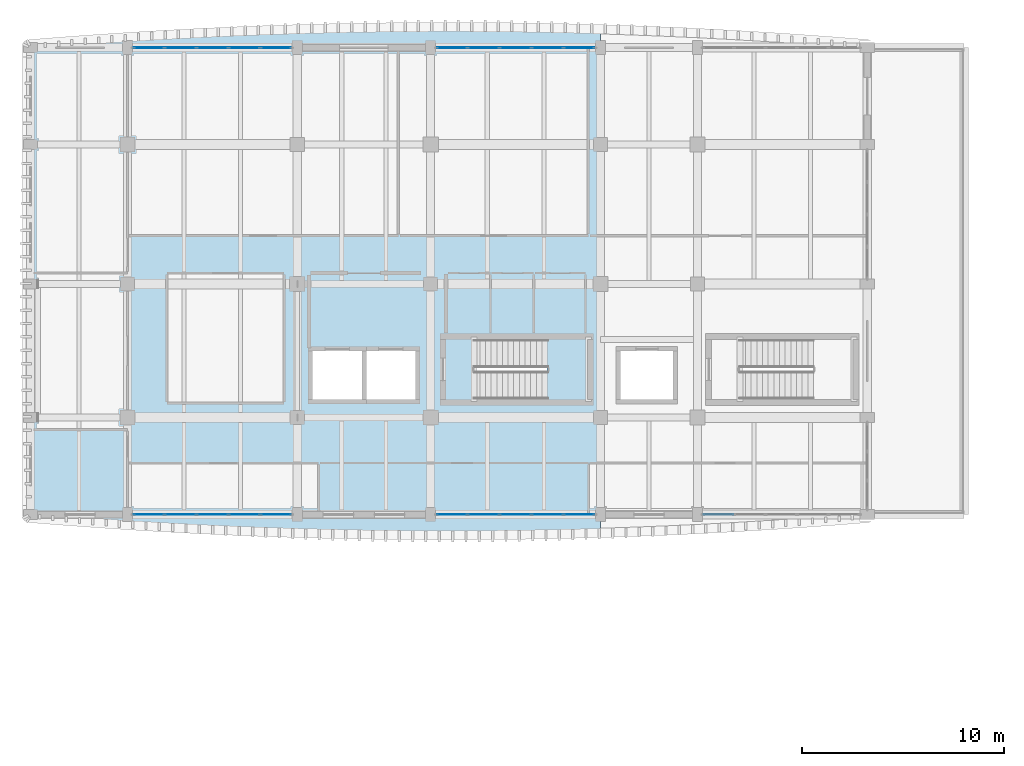
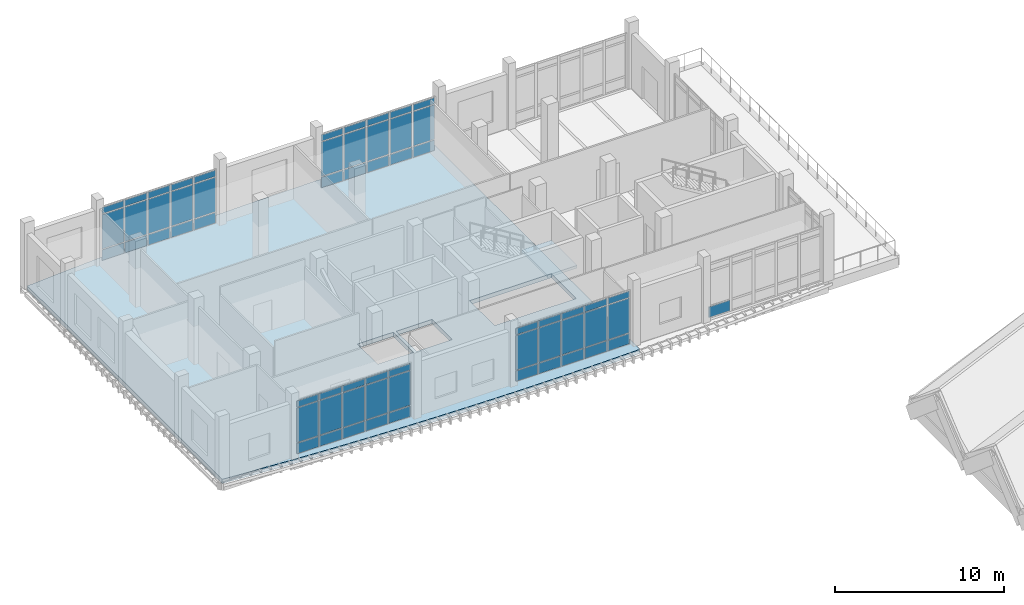
# One storey, part 19 of 50: 61 plates, 2 slabs, 6 elements without a shape of their own.
"""IFC4 building model written with IfcOpenShell, lengths in metres."""

from ifc_helpers import new_model, si_unit, direction, frame, origin, origin_2d, place, context, subcontext, project, spatial, polyline, rectangle, outline, extrude, material, layer, layer_set, type_object, element, aggregate, save


model = new_model("IFC4")

# Units and contexts
model_context = context("Model", 3, precision=1e-05, world=origin(), true_north=direction((0.0, 1.0)))
body_context = subcontext(model_context, "Body", "Model", "MODEL_VIEW")
ifc_project = project(units=[si_unit("LENGTHUNIT", "METRE"), si_unit("AREAUNIT", "SQUARE_METRE"), si_unit("VOLUMEUNIT", "CUBIC_METRE"), si_unit("PLANEANGLEUNIT", "RADIAN"), si_unit("MASSUNIT", "GRAM", prefix="KILO")], contexts=[model_context])

# Site, building, storey
site_placement = place(None, origin())
site = spatial("IfcSite", under=ifc_project, at=site_placement, CompositionType="ELEMENT")
building_placement = place(site_placement, origin())
building = spatial("IfcBuilding", under=site, at=building_placement, Name="Dornvale Research Institute", CompositionType="ELEMENT")
storey_placement = place(building_placement, frame((0.0, 0.0, 19.800048828125)))
storey = spatial("IfcBuildingStorey", under=building, at=storey_placement, Name="L04", CompositionType="ELEMENT", Elevation=19.800048828125)

# Curtain wall, plates
ifc_material_1 = material(Name="Low-E Argon Double Insulating Glazing Unit", Category="glass")
curtain_wall_type_1 = type_object("IfcCurtainWallType", Name="UnitisedCurtainWall_V5_7900x3950", PredefinedType="USERDEFINED", material=ifc_material_1)
curtain_wall_1_placement = place(storey_placement, origin())
curtain_wall_1 = element("IfcCurtainWall", 1, at=curtain_wall_1_placement, inside=storey, type_object=curtain_wall_type_1, Name="L04 V5 unitised curtain wall CW-24 #157", ObjectType="UNITISED CURTAIN WALL", PredefinedType="USERDEFINED")
ifc_material_2 = material(Name="Insulated Ceramic-Frit Spandrel Glass Panel", Category="glass")
ifc_layer_1 = layer(ifc_material_2, 0.0419921875)
ifc_layer_set_1 = layer_set([ifc_layer_1], Name="Insulated Ceramic-Frit Spandrel Glass Panel")
plate_type_1 = type_object("IfcPlateType", Name="CurtainPanel_Spandrel_42", PredefinedType="CURTAIN_PANEL", material=ifc_layer_set_1)
plate_1_placement = place(storey_placement, frame((5.856201171875, 122.10009765625, 0.06494140625), z_axis=(0.0, 0.0, 1.0), x_axis=(1.0, 0.0, 0.0)))
plate_1 = element("IfcPlate", 2, at=plate_1_placement, type_object=plate_type_1, Name="CW-24 panel 1.1", PredefinedType="CURTAIN_PANEL", context=body_context, shape_type="SweptSolid", body=[
    extrude(rectangle(XDim=1.482421875, YDim=0.0419921875, at=origin_2d()), origin(), (0.0, 0.0, 1.0), 0.75244140625),
])
plate_2_placement = place(storey_placement, frame((7.419921875, 122.10009765625, 0.06494140625), z_axis=(0.0, 0.0, 1.0), x_axis=(1.0, 0.0, 0.0)))
plate_2 = element("IfcPlate", 3, at=plate_2_placement, type_object=plate_type_1, Name="CW-24 panel 2.1", PredefinedType="CURTAIN_PANEL", context=body_context, shape_type="SweptSolid", body=[
    extrude(rectangle(XDim=1.514892578125, YDim=0.0419921875, at=origin_2d()), origin(), (0.0, 0.0, 1.0), 0.75244140625),
])
plate_3_placement = place(storey_placement, frame((9.0, 122.10009765625, 0.06494140625), z_axis=(0.0, 0.0, 1.0), x_axis=(1.0, 0.0, 0.0)))
plate_3 = element("IfcPlate", 4, at=plate_3_placement, type_object=plate_type_1, Name="CW-24 panel 3.1", PredefinedType="CURTAIN_PANEL", context=body_context, shape_type="SweptSolid", body=[
    extrude(rectangle(XDim=1.514892578125, YDim=0.0419921875, at=origin_2d()), origin(), (0.0, 0.0, 1.0), 0.75244140625),
])
plate_4_placement = place(storey_placement, frame((10.580078125, 122.10009765625, 0.06494140625), z_axis=(0.0, 0.0, 1.0), x_axis=(1.0, 0.0, 0.0)))
plate_4 = element("IfcPlate", 5, at=plate_4_placement, type_object=plate_type_1, Name="CW-24 panel 4.1", PredefinedType="CURTAIN_PANEL", context=body_context, shape_type="SweptSolid", body=[
    extrude(rectangle(XDim=1.514892578125, YDim=0.0419921875, at=origin_2d()), origin(), (0.0, 0.0, 1.0), 0.75244140625),
])
plate_5_placement = place(storey_placement, frame((12.143798828125, 122.10009765625, 0.06494140625), z_axis=(0.0, 0.0, 1.0), x_axis=(1.0, 0.0, 0.0)))
plate_5 = element("IfcPlate", 6, at=plate_5_placement, type_object=plate_type_1, Name="CW-24 panel 5.1", PredefinedType="CURTAIN_PANEL", context=body_context, shape_type="SweptSolid", body=[
    extrude(rectangle(XDim=1.482421875, YDim=0.0419921875, at=origin_2d()), origin(), (0.0, 0.0, 1.0), 0.75244140625),
])

curtain_wall_2_placement = place(storey_placement, origin())
curtain_wall_2 = element("IfcCurtainWall", 7, at=curtain_wall_2_placement, inside=storey, type_object=curtain_wall_type_1, Name="L04 V5 unitised curtain wall CW-24 #158", ObjectType="UNITISED CURTAIN WALL", PredefinedType="USERDEFINED")
plate_6_placement = place(storey_placement, frame((20.856201171875, 122.10009765625, 0.06494140625), z_axis=(0.0, 0.0, 1.0), x_axis=(1.0, 0.0, 0.0)))
plate_6 = element("IfcPlate", 8, at=plate_6_placement, type_object=plate_type_1, Name="CW-24 panel 1.1", PredefinedType="CURTAIN_PANEL", context=body_context, shape_type="SweptSolid", body=[
    extrude(rectangle(XDim=1.482421875, YDim=0.0419921875, at=origin_2d()), origin(), (0.0, 0.0, 1.0), 0.75244140625),
])
plate_7_placement = place(storey_placement, frame((22.419921875, 122.10009765625, 0.06494140625), z_axis=(0.0, 0.0, 1.0), x_axis=(1.0, 0.0, 0.0)))
plate_7 = element("IfcPlate", 9, at=plate_7_placement, type_object=plate_type_1, Name="CW-24 panel 2.1", PredefinedType="CURTAIN_PANEL", context=body_context, shape_type="SweptSolid", body=[
    extrude(rectangle(XDim=1.514892578125, YDim=0.0419921875, at=origin_2d()), origin(), (0.0, 0.0, 1.0), 0.75244140625),
])
plate_8_placement = place(storey_placement, frame((24.0, 122.10009765625, 0.06494140625), z_axis=(0.0, 0.0, 1.0), x_axis=(1.0, 0.0, 0.0)))
plate_8 = element("IfcPlate", 10, at=plate_8_placement, type_object=plate_type_1, Name="CW-24 panel 3.1", PredefinedType="CURTAIN_PANEL", context=body_context, shape_type="SweptSolid", body=[
    extrude(rectangle(XDim=1.514892578125, YDim=0.0419921875, at=origin_2d()), origin(), (0.0, 0.0, 1.0), 0.75244140625),
])
plate_9_placement = place(storey_placement, frame((25.580078125, 122.10009765625, 0.06494140625), z_axis=(0.0, 0.0, 1.0), x_axis=(1.0, 0.0, 0.0)))
plate_9 = element("IfcPlate", 11, at=plate_9_placement, type_object=plate_type_1, Name="CW-24 panel 4.1", PredefinedType="CURTAIN_PANEL", context=body_context, shape_type="SweptSolid", body=[
    extrude(rectangle(XDim=1.514892578125, YDim=0.0419921875, at=origin_2d()), origin(), (0.0, 0.0, 1.0), 0.75244140625),
])
plate_10_placement = place(storey_placement, frame((27.143798828125, 122.10009765625, 0.06494140625), z_axis=(0.0, 0.0, 1.0), x_axis=(1.0, 0.0, 0.0)))
plate_10 = element("IfcPlate", 12, at=plate_10_placement, type_object=plate_type_1, Name="CW-24 panel 5.1", PredefinedType="CURTAIN_PANEL", context=body_context, shape_type="SweptSolid", body=[
    extrude(rectangle(XDim=1.482421875, YDim=0.0419921875, at=origin_2d()), origin(), (0.0, 0.0, 1.0), 0.75244140625),
])

# Curtain wall, plate
ifc_material_3 = material(Name="Low-E Argon Double Insulating Glazing Unit", Category="glass")
curtain_wall_type_2 = type_object("IfcCurtainWallType", Name="UnitisedCurtainWall_V5_7800x3950", PredefinedType="USERDEFINED", material=ifc_material_3)
curtain_wall_3_placement = place(storey_placement, origin())
curtain_wall_3 = element("IfcCurtainWall", 13, at=curtain_wall_3_placement, inside=storey, type_object=curtain_wall_type_2, Name="L04 V5 unitised curtain wall CW-29 #162", ObjectType="UNITISED CURTAIN WALL", PredefinedType="USERDEFINED")
plate_11_placement = place(storey_placement, frame((34.046142578125, 99.0, 0.06494140625), z_axis=(0.0, 0.0, 1.0), x_axis=(-1.0, 0.0, 0.0)))
plate_11 = element("IfcPlate", 14, at=plate_11_placement, type_object=plate_type_1, Name="CW-29 panel 5.1", PredefinedType="CURTAIN_PANEL", context=body_context, shape_type="SweptSolid", body=[
    extrude(rectangle(XDim=1.46240234375, YDim=0.0419921875, at=origin_2d()), origin(), (0.0, 0.0, 1.0), 0.75244140625),
])
aggregate(curtain_wall_3, [plate_11])

# Curtain wall, plates
curtain_wall_4_placement = place(storey_placement, origin())
curtain_wall_4 = element("IfcCurtainWall", 15, at=curtain_wall_4_placement, inside=storey, type_object=curtain_wall_type_1, Name="L04 V5 unitised curtain wall CW-24 #163", ObjectType="UNITISED CURTAIN WALL", PredefinedType="USERDEFINED")
plate_12_placement = place(storey_placement, frame((27.143798828125, 99.0, 0.06494140625), z_axis=(0.0, 0.0, 1.0), x_axis=(-1.0, 0.0, 0.0)))
plate_12 = element("IfcPlate", 16, at=plate_12_placement, type_object=plate_type_1, Name="CW-24 panel 1.1", PredefinedType="CURTAIN_PANEL", context=body_context, shape_type="SweptSolid", body=[
    extrude(rectangle(XDim=1.482421875, YDim=0.0419921875, at=origin_2d()), origin(), (0.0, 0.0, 1.0), 0.75244140625),
])
plate_13_placement = place(storey_placement, frame((25.580078125, 99.0, 0.06494140625), z_axis=(0.0, 0.0, 1.0), x_axis=(-1.0, 0.0, 0.0)))
plate_13 = element("IfcPlate", 17, at=plate_13_placement, type_object=plate_type_1, Name="CW-24 panel 2.1", PredefinedType="CURTAIN_PANEL", context=body_context, shape_type="SweptSolid", body=[
    extrude(rectangle(XDim=1.514892578125, YDim=0.0419921875, at=origin_2d()), origin(), (0.0, 0.0, 1.0), 0.75244140625),
])
plate_14_placement = place(storey_placement, frame((24.0, 99.0, 0.06494140625), z_axis=(0.0, 0.0, 1.0), x_axis=(-1.0, 0.0, 0.0)))
plate_14 = element("IfcPlate", 18, at=plate_14_placement, type_object=plate_type_1, Name="CW-24 panel 3.1", PredefinedType="CURTAIN_PANEL", context=body_context, shape_type="SweptSolid", body=[
    extrude(rectangle(XDim=1.514892578125, YDim=0.0419921875, at=origin_2d()), origin(), (0.0, 0.0, 1.0), 0.75244140625),
])
plate_15_placement = place(storey_placement, frame((22.419921875, 99.0, 0.06494140625), z_axis=(0.0, 0.0, 1.0), x_axis=(-1.0, 0.0, 0.0)))
plate_15 = element("IfcPlate", 19, at=plate_15_placement, type_object=plate_type_1, Name="CW-24 panel 4.1", PredefinedType="CURTAIN_PANEL", context=body_context, shape_type="SweptSolid", body=[
    extrude(rectangle(XDim=1.514892578125, YDim=0.0419921875, at=origin_2d()), origin(), (0.0, 0.0, 1.0), 0.75244140625),
])
plate_16_placement = place(storey_placement, frame((20.856201171875, 99.0, 0.06494140625), z_axis=(0.0, 0.0, 1.0), x_axis=(-1.0, 0.0, 0.0)))
plate_16 = element("IfcPlate", 20, at=plate_16_placement, type_object=plate_type_1, Name="CW-24 panel 5.1", PredefinedType="CURTAIN_PANEL", context=body_context, shape_type="SweptSolid", body=[
    extrude(rectangle(XDim=1.482421875, YDim=0.0419921875, at=origin_2d()), origin(), (0.0, 0.0, 1.0), 0.75244140625),
])

curtain_wall_5_placement = place(storey_placement, origin())
curtain_wall_5 = element("IfcCurtainWall", 21, at=curtain_wall_5_placement, inside=storey, type_object=curtain_wall_type_1, Name="L04 V5 unitised curtain wall CW-24 #164", ObjectType="UNITISED CURTAIN WALL", PredefinedType="USERDEFINED")
plate_17_placement = place(storey_placement, frame((12.143798828125, 99.0, 0.06494140625), z_axis=(0.0, 0.0, 1.0), x_axis=(-1.0, 0.0, 0.0)))
plate_17 = element("IfcPlate", 22, at=plate_17_placement, type_object=plate_type_1, Name="CW-24 panel 1.1", PredefinedType="CURTAIN_PANEL", context=body_context, shape_type="SweptSolid", body=[
    extrude(rectangle(XDim=1.482421875, YDim=0.0419921875, at=origin_2d()), origin(), (0.0, 0.0, 1.0), 0.75244140625),
])
plate_18_placement = place(storey_placement, frame((10.580078125, 99.0, 0.06494140625), z_axis=(0.0, 0.0, 1.0), x_axis=(-1.0, 0.0, 0.0)))
plate_18 = element("IfcPlate", 23, at=plate_18_placement, type_object=plate_type_1, Name="CW-24 panel 2.1", PredefinedType="CURTAIN_PANEL", context=body_context, shape_type="SweptSolid", body=[
    extrude(rectangle(XDim=1.514892578125, YDim=0.0419921875, at=origin_2d()), origin(), (0.0, 0.0, 1.0), 0.75244140625),
])
plate_19_placement = place(storey_placement, frame((9.0, 99.0, 0.06494140625), z_axis=(0.0, 0.0, 1.0), x_axis=(-1.0, 0.0, 0.0)))
plate_19 = element("IfcPlate", 24, at=plate_19_placement, type_object=plate_type_1, Name="CW-24 panel 3.1", PredefinedType="CURTAIN_PANEL", context=body_context, shape_type="SweptSolid", body=[
    extrude(rectangle(XDim=1.514892578125, YDim=0.0419921875, at=origin_2d()), origin(), (0.0, 0.0, 1.0), 0.75244140625),
])
plate_20_placement = place(storey_placement, frame((7.419921875, 99.0, 0.06494140625), z_axis=(0.0, 0.0, 1.0), x_axis=(-1.0, 0.0, 0.0)))
plate_20 = element("IfcPlate", 25, at=plate_20_placement, type_object=plate_type_1, Name="CW-24 panel 4.1", PredefinedType="CURTAIN_PANEL", context=body_context, shape_type="SweptSolid", body=[
    extrude(rectangle(XDim=1.514892578125, YDim=0.0419921875, at=origin_2d()), origin(), (0.0, 0.0, 1.0), 0.75244140625),
])
plate_21_placement = place(storey_placement, frame((5.856201171875, 99.0, 0.06494140625), z_axis=(0.0, 0.0, 1.0), x_axis=(-1.0, 0.0, 0.0)))
plate_21 = element("IfcPlate", 26, at=plate_21_placement, type_object=plate_type_1, Name="CW-24 panel 5.1", PredefinedType="CURTAIN_PANEL", context=body_context, shape_type="SweptSolid", body=[
    extrude(rectangle(XDim=1.482421875, YDim=0.0419921875, at=origin_2d()), origin(), (0.0, 0.0, 1.0), 0.75244140625),
])

# Plate
ifc_material_4 = material(Name="Low-E Argon Double Insulating Glazing Unit", Category="glass")
ifc_layer_2 = layer(ifc_material_4, 0.028076171875)
ifc_layer_set_2 = layer_set([ifc_layer_2], Name="Low-E Argon Double Insulating Glazing Unit")
plate_type_2 = type_object("IfcPlateType", Name="CurtainPanel_Vision_28", PredefinedType="CURTAIN_PANEL", material=ifc_layer_set_2)
plate_22_placement = place(storey_placement, frame((5.856201171875, 122.10009765625, 0.88232421875), z_axis=(0.0, 0.0, 1.0), x_axis=(1.0, 0.0, 0.0)))
plate_22 = element("IfcPlate", 27, at=plate_22_placement, type_object=plate_type_2, Name="CW-24 panel 1.2", PredefinedType="CURTAIN_PANEL", context=body_context, shape_type="SweptSolid", body=[
    extrude(rectangle(XDim=1.482421875, YDim=0.028076171875, at=origin_2d()), origin(), (0.0, 0.0, 1.0), 2.485107421875),
])

plate_23_placement = place(storey_placement, frame((5.856201171875, 122.10009765625, 3.4326171875), z_axis=(0.0, 0.0, 1.0), x_axis=(1.0, 0.0, 0.0)))
plate_23 = element("IfcPlate", 28, at=plate_23_placement, type_object=plate_type_2, Name="CW-24 panel 1.3", PredefinedType="CURTAIN_PANEL", context=body_context, shape_type="SweptSolid", body=[
    extrude(rectangle(XDim=1.482421875, YDim=0.028076171875, at=origin_2d()), origin(), (0.0, 0.0, 1.0), 0.452392578125),
])

plate_24_placement = place(storey_placement, frame((7.419921875, 122.10009765625, 0.88232421875), z_axis=(0.0, 0.0, 1.0), x_axis=(1.0, 0.0, 0.0)))
plate_24 = element("IfcPlate", 29, at=plate_24_placement, type_object=plate_type_2, Name="CW-24 panel 2.2", PredefinedType="CURTAIN_PANEL", context=body_context, shape_type="SweptSolid", body=[
    extrude(rectangle(XDim=1.514892578125, YDim=0.028076171875, at=origin_2d()), origin(), (0.0, 0.0, 1.0), 2.485107421875),
])

plate_25_placement = place(storey_placement, frame((7.419921875, 122.10009765625, 3.4326171875), z_axis=(0.0, 0.0, 1.0), x_axis=(1.0, 0.0, 0.0)))
plate_25 = element("IfcPlate", 30, at=plate_25_placement, type_object=plate_type_2, Name="CW-24 panel 2.3", PredefinedType="CURTAIN_PANEL", context=body_context, shape_type="SweptSolid", body=[
    extrude(rectangle(XDim=1.514892578125, YDim=0.028076171875, at=origin_2d()), origin(), (0.0, 0.0, 1.0), 0.452392578125),
])

plate_26_placement = place(storey_placement, frame((9.0, 122.10009765625, 0.88232421875), z_axis=(0.0, 0.0, 1.0), x_axis=(1.0, 0.0, 0.0)))
plate_26 = element("IfcPlate", 31, at=plate_26_placement, type_object=plate_type_2, Name="CW-24 panel 3.2", PredefinedType="CURTAIN_PANEL", context=body_context, shape_type="SweptSolid", body=[
    extrude(rectangle(XDim=1.514892578125, YDim=0.028076171875, at=origin_2d()), origin(), (0.0, 0.0, 1.0), 2.485107421875),
])

plate_27_placement = place(storey_placement, frame((9.0, 122.10009765625, 3.4326171875), z_axis=(0.0, 0.0, 1.0), x_axis=(1.0, 0.0, 0.0)))
plate_27 = element("IfcPlate", 32, at=plate_27_placement, type_object=plate_type_2, Name="CW-24 panel 3.3", PredefinedType="CURTAIN_PANEL", context=body_context, shape_type="SweptSolid", body=[
    extrude(rectangle(XDim=1.514892578125, YDim=0.028076171875, at=origin_2d()), origin(), (0.0, 0.0, 1.0), 0.452392578125),
])

plate_28_placement = place(storey_placement, frame((10.580078125, 122.10009765625, 0.88232421875), z_axis=(0.0, 0.0, 1.0), x_axis=(1.0, 0.0, 0.0)))
plate_28 = element("IfcPlate", 33, at=plate_28_placement, type_object=plate_type_2, Name="CW-24 panel 4.2", PredefinedType="CURTAIN_PANEL", context=body_context, shape_type="SweptSolid", body=[
    extrude(rectangle(XDim=1.514892578125, YDim=0.028076171875, at=origin_2d()), origin(), (0.0, 0.0, 1.0), 2.485107421875),
])

plate_29_placement = place(storey_placement, frame((10.580078125, 122.10009765625, 3.4326171875), z_axis=(0.0, 0.0, 1.0), x_axis=(1.0, 0.0, 0.0)))
plate_29 = element("IfcPlate", 34, at=plate_29_placement, type_object=plate_type_2, Name="CW-24 panel 4.3", PredefinedType="CURTAIN_PANEL", context=body_context, shape_type="SweptSolid", body=[
    extrude(rectangle(XDim=1.514892578125, YDim=0.028076171875, at=origin_2d()), origin(), (0.0, 0.0, 1.0), 0.452392578125),
])

plate_30_placement = place(storey_placement, frame((12.143798828125, 122.10009765625, 0.88232421875), z_axis=(0.0, 0.0, 1.0), x_axis=(1.0, 0.0, 0.0)))
plate_30 = element("IfcPlate", 35, at=plate_30_placement, type_object=plate_type_2, Name="CW-24 panel 5.2", PredefinedType="CURTAIN_PANEL", context=body_context, shape_type="SweptSolid", body=[
    extrude(rectangle(XDim=1.482421875, YDim=0.028076171875, at=origin_2d()), origin(), (0.0, 0.0, 1.0), 2.485107421875),
])

plate_31_placement = place(storey_placement, frame((12.143798828125, 122.10009765625, 3.4326171875), z_axis=(0.0, 0.0, 1.0), x_axis=(1.0, 0.0, 0.0)))
plate_31 = element("IfcPlate", 36, at=plate_31_placement, type_object=plate_type_2, Name="CW-24 panel 5.3", PredefinedType="CURTAIN_PANEL", context=body_context, shape_type="SweptSolid", body=[
    extrude(rectangle(XDim=1.482421875, YDim=0.028076171875, at=origin_2d()), origin(), (0.0, 0.0, 1.0), 0.452392578125),
])

aggregate(curtain_wall_1, [plate_1, plate_22, plate_23, plate_2, plate_24, plate_25, plate_3, plate_26, plate_27, plate_4, plate_28, plate_29, plate_5, plate_30, plate_31])

plate_32_placement = place(storey_placement, frame((20.856201171875, 122.10009765625, 0.88232421875), z_axis=(0.0, 0.0, 1.0), x_axis=(1.0, 0.0, 0.0)))
plate_32 = element("IfcPlate", 37, at=plate_32_placement, type_object=plate_type_2, Name="CW-24 panel 1.2", PredefinedType="CURTAIN_PANEL", context=body_context, shape_type="SweptSolid", body=[
    extrude(rectangle(XDim=1.482421875, YDim=0.028076171875, at=origin_2d()), origin(), (0.0, 0.0, 1.0), 2.485107421875),
])

plate_33_placement = place(storey_placement, frame((20.856201171875, 122.10009765625, 3.4326171875), z_axis=(0.0, 0.0, 1.0), x_axis=(1.0, 0.0, 0.0)))
plate_33 = element("IfcPlate", 38, at=plate_33_placement, type_object=plate_type_2, Name="CW-24 panel 1.3", PredefinedType="CURTAIN_PANEL", context=body_context, shape_type="SweptSolid", body=[
    extrude(rectangle(XDim=1.482421875, YDim=0.028076171875, at=origin_2d()), origin(), (0.0, 0.0, 1.0), 0.452392578125),
])

plate_34_placement = place(storey_placement, frame((22.419921875, 122.10009765625, 0.88232421875), z_axis=(0.0, 0.0, 1.0), x_axis=(1.0, 0.0, 0.0)))
plate_34 = element("IfcPlate", 39, at=plate_34_placement, type_object=plate_type_2, Name="CW-24 panel 2.2", PredefinedType="CURTAIN_PANEL", context=body_context, shape_type="SweptSolid", body=[
    extrude(rectangle(XDim=1.514892578125, YDim=0.028076171875, at=origin_2d()), origin(), (0.0, 0.0, 1.0), 2.485107421875),
])

plate_35_placement = place(storey_placement, frame((22.419921875, 122.10009765625, 3.4326171875), z_axis=(0.0, 0.0, 1.0), x_axis=(1.0, 0.0, 0.0)))
plate_35 = element("IfcPlate", 40, at=plate_35_placement, type_object=plate_type_2, Name="CW-24 panel 2.3", PredefinedType="CURTAIN_PANEL", context=body_context, shape_type="SweptSolid", body=[
    extrude(rectangle(XDim=1.514892578125, YDim=0.028076171875, at=origin_2d()), origin(), (0.0, 0.0, 1.0), 0.452392578125),
])

plate_36_placement = place(storey_placement, frame((24.0, 122.10009765625, 0.88232421875), z_axis=(0.0, 0.0, 1.0), x_axis=(1.0, 0.0, 0.0)))
plate_36 = element("IfcPlate", 41, at=plate_36_placement, type_object=plate_type_2, Name="CW-24 panel 3.2", PredefinedType="CURTAIN_PANEL", context=body_context, shape_type="SweptSolid", body=[
    extrude(rectangle(XDim=1.514892578125, YDim=0.028076171875, at=origin_2d()), origin(), (0.0, 0.0, 1.0), 2.485107421875),
])

plate_37_placement = place(storey_placement, frame((24.0, 122.10009765625, 3.4326171875), z_axis=(0.0, 0.0, 1.0), x_axis=(1.0, 0.0, 0.0)))
plate_37 = element("IfcPlate", 42, at=plate_37_placement, type_object=plate_type_2, Name="CW-24 panel 3.3", PredefinedType="CURTAIN_PANEL", context=body_context, shape_type="SweptSolid", body=[
    extrude(rectangle(XDim=1.514892578125, YDim=0.028076171875, at=origin_2d()), origin(), (0.0, 0.0, 1.0), 0.452392578125),
])

plate_38_placement = place(storey_placement, frame((25.580078125, 122.10009765625, 0.88232421875), z_axis=(0.0, 0.0, 1.0), x_axis=(1.0, 0.0, 0.0)))
plate_38 = element("IfcPlate", 43, at=plate_38_placement, type_object=plate_type_2, Name="CW-24 panel 4.2", PredefinedType="CURTAIN_PANEL", context=body_context, shape_type="SweptSolid", body=[
    extrude(rectangle(XDim=1.514892578125, YDim=0.028076171875, at=origin_2d()), origin(), (0.0, 0.0, 1.0), 2.485107421875),
])

plate_39_placement = place(storey_placement, frame((25.580078125, 122.10009765625, 3.4326171875), z_axis=(0.0, 0.0, 1.0), x_axis=(1.0, 0.0, 0.0)))
plate_39 = element("IfcPlate", 44, at=plate_39_placement, type_object=plate_type_2, Name="CW-24 panel 4.3", PredefinedType="CURTAIN_PANEL", context=body_context, shape_type="SweptSolid", body=[
    extrude(rectangle(XDim=1.514892578125, YDim=0.028076171875, at=origin_2d()), origin(), (0.0, 0.0, 1.0), 0.452392578125),
])

plate_40_placement = place(storey_placement, frame((27.143798828125, 122.10009765625, 0.88232421875), z_axis=(0.0, 0.0, 1.0), x_axis=(1.0, 0.0, 0.0)))
plate_40 = element("IfcPlate", 45, at=plate_40_placement, type_object=plate_type_2, Name="CW-24 panel 5.2", PredefinedType="CURTAIN_PANEL", context=body_context, shape_type="SweptSolid", body=[
    extrude(rectangle(XDim=1.482421875, YDim=0.028076171875, at=origin_2d()), origin(), (0.0, 0.0, 1.0), 2.485107421875),
])

plate_41_placement = place(storey_placement, frame((27.143798828125, 122.10009765625, 3.4326171875), z_axis=(0.0, 0.0, 1.0), x_axis=(1.0, 0.0, 0.0)))
plate_41 = element("IfcPlate", 46, at=plate_41_placement, type_object=plate_type_2, Name="CW-24 panel 5.3", PredefinedType="CURTAIN_PANEL", context=body_context, shape_type="SweptSolid", body=[
    extrude(rectangle(XDim=1.482421875, YDim=0.028076171875, at=origin_2d()), origin(), (0.0, 0.0, 1.0), 0.452392578125),
])

aggregate(curtain_wall_2, [plate_6, plate_32, plate_33, plate_7, plate_34, plate_35, plate_8, plate_36, plate_37, plate_9, plate_38, plate_39, plate_10, plate_40, plate_41])

plate_42_placement = place(storey_placement, frame((27.143798828125, 99.0, 0.88232421875), z_axis=(0.0, 0.0, 1.0), x_axis=(-1.0, 0.0, 0.0)))
plate_42 = element("IfcPlate", 47, at=plate_42_placement, type_object=plate_type_2, Name="CW-24 panel 1.2", PredefinedType="CURTAIN_PANEL", context=body_context, shape_type="SweptSolid", body=[
    extrude(rectangle(XDim=1.482421875, YDim=0.028076171875, at=origin_2d()), origin(), (0.0, 0.0, 1.0), 2.485107421875),
])

plate_43_placement = place(storey_placement, frame((27.143798828125, 99.0, 3.4326171875), z_axis=(0.0, 0.0, 1.0), x_axis=(-1.0, 0.0, 0.0)))
plate_43 = element("IfcPlate", 48, at=plate_43_placement, type_object=plate_type_2, Name="CW-24 panel 1.3", PredefinedType="CURTAIN_PANEL", context=body_context, shape_type="SweptSolid", body=[
    extrude(rectangle(XDim=1.482421875, YDim=0.028076171875, at=origin_2d()), origin(), (0.0, 0.0, 1.0), 0.452392578125),
])

plate_44_placement = place(storey_placement, frame((25.580078125, 99.0, 0.88232421875), z_axis=(0.0, 0.0, 1.0), x_axis=(-1.0, 0.0, 0.0)))
plate_44 = element("IfcPlate", 49, at=plate_44_placement, type_object=plate_type_2, Name="CW-24 panel 2.2", PredefinedType="CURTAIN_PANEL", context=body_context, shape_type="SweptSolid", body=[
    extrude(rectangle(XDim=1.514892578125, YDim=0.028076171875, at=origin_2d()), origin(), (0.0, 0.0, 1.0), 2.485107421875),
])

plate_45_placement = place(storey_placement, frame((25.580078125, 99.0, 3.4326171875), z_axis=(0.0, 0.0, 1.0), x_axis=(-1.0, 0.0, 0.0)))
plate_45 = element("IfcPlate", 50, at=plate_45_placement, type_object=plate_type_2, Name="CW-24 panel 2.3", PredefinedType="CURTAIN_PANEL", context=body_context, shape_type="SweptSolid", body=[
    extrude(rectangle(XDim=1.514892578125, YDim=0.028076171875, at=origin_2d()), origin(), (0.0, 0.0, 1.0), 0.452392578125),
])

plate_46_placement = place(storey_placement, frame((24.0, 99.0, 0.88232421875), z_axis=(0.0, 0.0, 1.0), x_axis=(-1.0, 0.0, 0.0)))
plate_46 = element("IfcPlate", 51, at=plate_46_placement, type_object=plate_type_2, Name="CW-24 panel 3.2", PredefinedType="CURTAIN_PANEL", context=body_context, shape_type="SweptSolid", body=[
    extrude(rectangle(XDim=1.514892578125, YDim=0.028076171875, at=origin_2d()), origin(), (0.0, 0.0, 1.0), 2.485107421875),
])

plate_47_placement = place(storey_placement, frame((24.0, 99.0, 3.4326171875), z_axis=(0.0, 0.0, 1.0), x_axis=(-1.0, 0.0, 0.0)))
plate_47 = element("IfcPlate", 52, at=plate_47_placement, type_object=plate_type_2, Name="CW-24 panel 3.3", PredefinedType="CURTAIN_PANEL", context=body_context, shape_type="SweptSolid", body=[
    extrude(rectangle(XDim=1.514892578125, YDim=0.028076171875, at=origin_2d()), origin(), (0.0, 0.0, 1.0), 0.452392578125),
])

plate_48_placement = place(storey_placement, frame((22.419921875, 99.0, 0.88232421875), z_axis=(0.0, 0.0, 1.0), x_axis=(-1.0, 0.0, 0.0)))
plate_48 = element("IfcPlate", 53, at=plate_48_placement, type_object=plate_type_2, Name="CW-24 panel 4.2", PredefinedType="CURTAIN_PANEL", context=body_context, shape_type="SweptSolid", body=[
    extrude(rectangle(XDim=1.514892578125, YDim=0.028076171875, at=origin_2d()), origin(), (0.0, 0.0, 1.0), 2.485107421875),
])

plate_49_placement = place(storey_placement, frame((22.419921875, 99.0, 3.4326171875), z_axis=(0.0, 0.0, 1.0), x_axis=(-1.0, 0.0, 0.0)))
plate_49 = element("IfcPlate", 54, at=plate_49_placement, type_object=plate_type_2, Name="CW-24 panel 4.3", PredefinedType="CURTAIN_PANEL", context=body_context, shape_type="SweptSolid", body=[
    extrude(rectangle(XDim=1.514892578125, YDim=0.028076171875, at=origin_2d()), origin(), (0.0, 0.0, 1.0), 0.452392578125),
])

plate_50_placement = place(storey_placement, frame((20.856201171875, 99.0, 0.88232421875), z_axis=(0.0, 0.0, 1.0), x_axis=(-1.0, 0.0, 0.0)))
plate_50 = element("IfcPlate", 55, at=plate_50_placement, type_object=plate_type_2, Name="CW-24 panel 5.2", PredefinedType="CURTAIN_PANEL", context=body_context, shape_type="SweptSolid", body=[
    extrude(rectangle(XDim=1.482421875, YDim=0.028076171875, at=origin_2d()), origin(), (0.0, 0.0, 1.0), 2.485107421875),
])

plate_51_placement = place(storey_placement, frame((20.856201171875, 99.0, 3.4326171875), z_axis=(0.0, 0.0, 1.0), x_axis=(-1.0, 0.0, 0.0)))
plate_51 = element("IfcPlate", 56, at=plate_51_placement, type_object=plate_type_2, Name="CW-24 panel 5.3", PredefinedType="CURTAIN_PANEL", context=body_context, shape_type="SweptSolid", body=[
    extrude(rectangle(XDim=1.482421875, YDim=0.028076171875, at=origin_2d()), origin(), (0.0, 0.0, 1.0), 0.452392578125),
])

aggregate(curtain_wall_4, [plate_12, plate_42, plate_43, plate_13, plate_44, plate_45, plate_14, plate_46, plate_47, plate_15, plate_48, plate_49, plate_16, plate_50, plate_51])

plate_52_placement = place(storey_placement, frame((12.143798828125, 99.0, 0.88232421875), z_axis=(0.0, 0.0, 1.0), x_axis=(-1.0, 0.0, 0.0)))
plate_52 = element("IfcPlate", 57, at=plate_52_placement, type_object=plate_type_2, Name="CW-24 panel 1.2", PredefinedType="CURTAIN_PANEL", context=body_context, shape_type="SweptSolid", body=[
    extrude(rectangle(XDim=1.482421875, YDim=0.028076171875, at=origin_2d()), origin(), (0.0, 0.0, 1.0), 2.485107421875),
])

plate_53_placement = place(storey_placement, frame((12.143798828125, 99.0, 3.4326171875), z_axis=(0.0, 0.0, 1.0), x_axis=(-1.0, 0.0, 0.0)))
plate_53 = element("IfcPlate", 58, at=plate_53_placement, type_object=plate_type_2, Name="CW-24 panel 1.3", PredefinedType="CURTAIN_PANEL", context=body_context, shape_type="SweptSolid", body=[
    extrude(rectangle(XDim=1.482421875, YDim=0.028076171875, at=origin_2d()), origin(), (0.0, 0.0, 1.0), 0.452392578125),
])

plate_54_placement = place(storey_placement, frame((10.580078125, 99.0, 0.88232421875), z_axis=(0.0, 0.0, 1.0), x_axis=(-1.0, 0.0, 0.0)))
plate_54 = element("IfcPlate", 59, at=plate_54_placement, type_object=plate_type_2, Name="CW-24 panel 2.2", PredefinedType="CURTAIN_PANEL", context=body_context, shape_type="SweptSolid", body=[
    extrude(rectangle(XDim=1.514892578125, YDim=0.028076171875, at=origin_2d()), origin(), (0.0, 0.0, 1.0), 2.485107421875),
])

plate_55_placement = place(storey_placement, frame((10.580078125, 99.0, 3.4326171875), z_axis=(0.0, 0.0, 1.0), x_axis=(-1.0, 0.0, 0.0)))
plate_55 = element("IfcPlate", 60, at=plate_55_placement, type_object=plate_type_2, Name="CW-24 panel 2.3", PredefinedType="CURTAIN_PANEL", context=body_context, shape_type="SweptSolid", body=[
    extrude(rectangle(XDim=1.514892578125, YDim=0.028076171875, at=origin_2d()), origin(), (0.0, 0.0, 1.0), 0.452392578125),
])

plate_56_placement = place(storey_placement, frame((9.0, 99.0, 0.88232421875), z_axis=(0.0, 0.0, 1.0), x_axis=(-1.0, 0.0, 0.0)))
plate_56 = element("IfcPlate", 61, at=plate_56_placement, type_object=plate_type_2, Name="CW-24 panel 3.2", PredefinedType="CURTAIN_PANEL", context=body_context, shape_type="SweptSolid", body=[
    extrude(rectangle(XDim=1.514892578125, YDim=0.028076171875, at=origin_2d()), origin(), (0.0, 0.0, 1.0), 2.485107421875),
])

plate_57_placement = place(storey_placement, frame((9.0, 99.0, 3.4326171875), z_axis=(0.0, 0.0, 1.0), x_axis=(-1.0, 0.0, 0.0)))
plate_57 = element("IfcPlate", 62, at=plate_57_placement, type_object=plate_type_2, Name="CW-24 panel 3.3", PredefinedType="CURTAIN_PANEL", context=body_context, shape_type="SweptSolid", body=[
    extrude(rectangle(XDim=1.514892578125, YDim=0.028076171875, at=origin_2d()), origin(), (0.0, 0.0, 1.0), 0.452392578125),
])

plate_58_placement = place(storey_placement, frame((7.419921875, 99.0, 0.88232421875), z_axis=(0.0, 0.0, 1.0), x_axis=(-1.0, 0.0, 0.0)))
plate_58 = element("IfcPlate", 63, at=plate_58_placement, type_object=plate_type_2, Name="CW-24 panel 4.2", PredefinedType="CURTAIN_PANEL", context=body_context, shape_type="SweptSolid", body=[
    extrude(rectangle(XDim=1.514892578125, YDim=0.028076171875, at=origin_2d()), origin(), (0.0, 0.0, 1.0), 2.485107421875),
])

plate_59_placement = place(storey_placement, frame((7.419921875, 99.0, 3.4326171875), z_axis=(0.0, 0.0, 1.0), x_axis=(-1.0, 0.0, 0.0)))
plate_59 = element("IfcPlate", 64, at=plate_59_placement, type_object=plate_type_2, Name="CW-24 panel 4.3", PredefinedType="CURTAIN_PANEL", context=body_context, shape_type="SweptSolid", body=[
    extrude(rectangle(XDim=1.514892578125, YDim=0.028076171875, at=origin_2d()), origin(), (0.0, 0.0, 1.0), 0.452392578125),
])

plate_60_placement = place(storey_placement, frame((5.856201171875, 99.0, 0.88232421875), z_axis=(0.0, 0.0, 1.0), x_axis=(-1.0, 0.0, 0.0)))
plate_60 = element("IfcPlate", 65, at=plate_60_placement, type_object=plate_type_2, Name="CW-24 panel 5.2", PredefinedType="CURTAIN_PANEL", context=body_context, shape_type="SweptSolid", body=[
    extrude(rectangle(XDim=1.482421875, YDim=0.028076171875, at=origin_2d()), origin(), (0.0, 0.0, 1.0), 2.485107421875),
])

plate_61_placement = place(storey_placement, frame((5.856201171875, 99.0, 3.4326171875), z_axis=(0.0, 0.0, 1.0), x_axis=(-1.0, 0.0, 0.0)))
plate_61 = element("IfcPlate", 66, at=plate_61_placement, type_object=plate_type_2, Name="CW-24 panel 5.3", PredefinedType="CURTAIN_PANEL", context=body_context, shape_type="SweptSolid", body=[
    extrude(rectangle(XDim=1.482421875, YDim=0.028076171875, at=origin_2d()), origin(), (0.0, 0.0, 1.0), 0.452392578125),
])

aggregate(curtain_wall_5, [plate_17, plate_52, plate_53, plate_18, plate_54, plate_55, plate_19, plate_56, plate_57, plate_20, plate_58, plate_59, plate_21, plate_60, plate_61])

# Slab
ifc_material_5 = material(Name="Concrete f'c 45 MPa (C35/45)", Category="concrete")
ifc_layer_3 = layer(ifc_material_5, 0.300048828125)
ifc_layer_set_3 = layer_set([ifc_layer_3], Name="Concrete f'c 45 MPa (C35/45)")
slab_type_1 = type_object("IfcSlabType", Name="FloorSlab_DryLab_300", PredefinedType="FLOOR", material=ifc_layer_set_3)
slab_1_placement = place(storey_placement, frame((0.0, 0.0, -0.300048828125)))
element("IfcSlab", 67, at=slab_1_placement, inside=storey, type_object=slab_type_1, Name="L04 V5 W floor slab", PredefinedType="FLOOR", context=body_context, shape_type="SweptSolid", body=[
    extrude(outline(polyline([(28.152099609375, 98.26025390625), (26.49609375, 98.216552734375), (24.840087890625, 98.18408203125), (23.18408203125, 98.162109375), (21.528076171875, 98.1513671875), (19.8720703125, 98.1513671875), (18.216064453125, 98.162109375), (16.56005859375, 98.18408203125), (14.904052734375, 98.216552734375), (13.248046875, 98.26025390625), (11.592041015625, 98.314697265625), (9.93603515625, 98.3798828125), (8.280029296875, 98.4560546875), (6.6240234375, 98.54296875), (4.968017578125, 98.64111328125), (3.31201171875, 98.749755859375), (1.656005859375, 98.869384765625), (0.0, 99.0), (0.0, 122.10009765625), (1.656005859375, 122.230712890625), (3.31201171875, 122.35009765625), (4.968017578125, 122.458984375), (6.6240234375, 122.556884765625), (8.280029296875, 122.64404296875), (9.93603515625, 122.72021484375), (11.592041015625, 122.785400390625), (13.248046875, 122.83984375), (14.904052734375, 122.88330078125), (16.56005859375, 122.916015625), (18.216064453125, 122.937744140625), (19.8720703125, 122.948486328125), (21.528076171875, 122.948486328125), (23.18408203125, 122.937744140625), (24.840087890625, 122.916015625), (26.49609375, 122.88330078125), (28.152099609375, 122.83984375), (28.199951171875, 122.838134765625), (28.199951171875, 98.26171875), (28.152099609375, 98.26025390625)]), holes=[polyline([(21.949951171875, 104.699951171875), (27.550048828125, 104.699951171875), (27.550048828125, 107.659912109375), (21.949951171875, 107.659912109375), (21.949951171875, 104.699951171875)]), polyline([(13.949951171875, 104.699951171875), (16.39990234375, 104.699951171875), (16.39990234375, 107.10009765625), (13.949951171875, 107.10009765625), (13.949951171875, 104.699951171875)]), polyline([(16.60009765625, 104.699951171875), (19.050048828125, 104.699951171875), (19.050048828125, 107.10009765625), (16.60009765625, 107.10009765625), (16.60009765625, 104.699951171875)])]), origin(), (0.0, 0.0, 1.0), 0.300048828125),
])

# Stair, slab
ifc_material_6 = material(Name="Concrete f'c 45 MPa (C35/45)", Category="concrete")
stair_type = type_object("IfcStairType", Name="HalfTurnStair_RC", PredefinedType="HALF_TURN_STAIR", material=ifc_material_6)
stair_placement = place(storey_placement, origin())
stair = element("IfcStair", 68, at=stair_placement, inside=storey, type_object=stair_type, Name="L04 Exit stair ST-1", PredefinedType="HALF_TURN_STAIR")
ifc_material_7 = material(Name="Concrete f'c 45 MPa (C35/45)", Category="concrete")
ifc_layer_4 = layer(ifc_material_7, 0.199951171875)
ifc_layer_set_4 = layer_set([ifc_layer_4], Name="Concrete f'c 45 MPa (C35/45)")
slab_type_2 = type_object("IfcSlabType", Name="Landing_Stair_200", PredefinedType="LANDING", material=ifc_layer_set_4)
slab_2_placement = place(storey_placement, frame((0.0, 0.0, 2.199951171875)))
slab_2 = element("IfcSlab", 69, at=slab_2_placement, type_object=slab_type_2, Name="ST-1 landing 1", PredefinedType="LANDING", context=body_context, shape_type="SweptSolid", body=[
    extrude(outline(polyline([(25.56005859375, 104.669921875), (25.56005859375, 107.68994140625), (27.580078125, 107.68994140625), (27.580078125, 104.669921875), (25.56005859375, 104.669921875)])), origin(), (0.0, 0.0, 1.0), 0.199951171875),
])
aggregate(stair, [slab_2])

save(model, "model.ifc")
